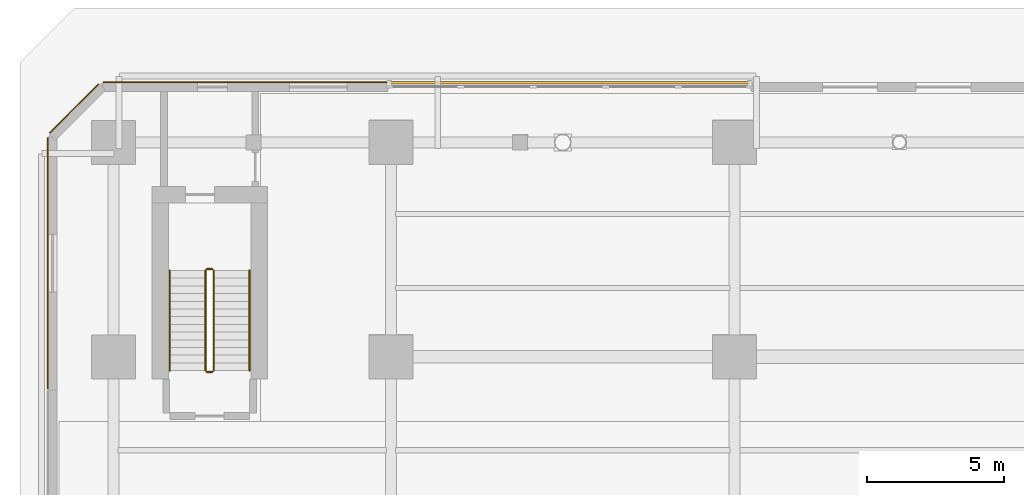
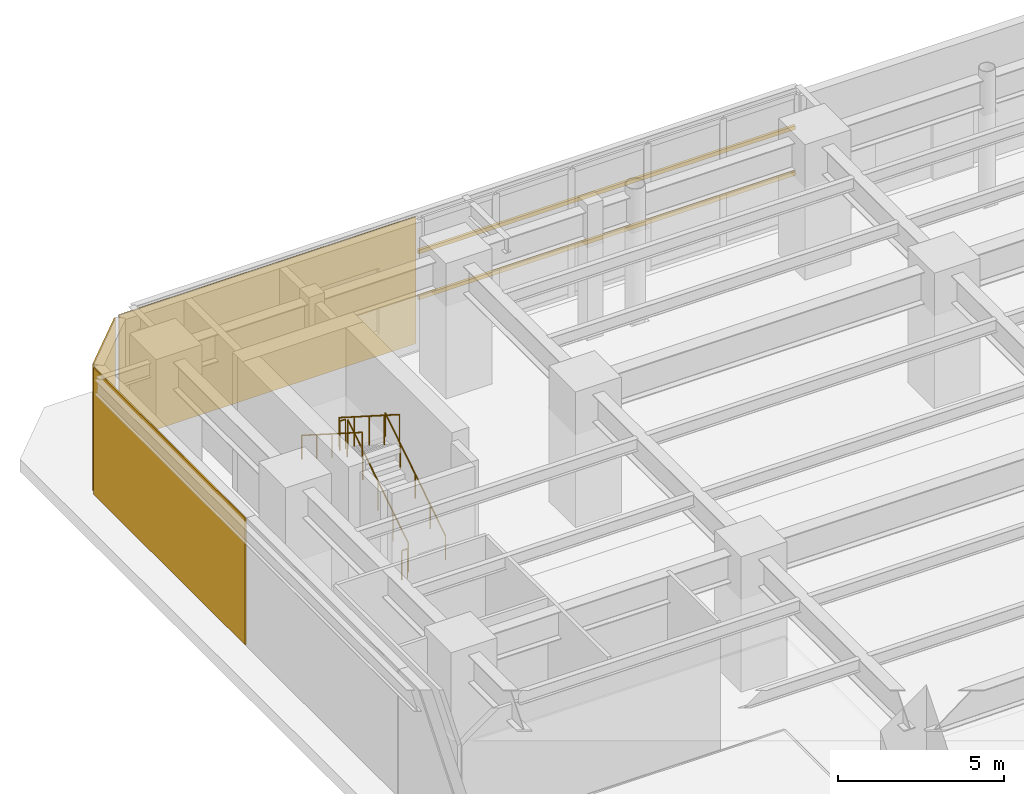
# One storey, part 23 of 26: 6 railings, 3 coverings, 2 shading devices.
"""IFC4 building model written with IfcOpenShell, lengths in metres."""

from ifc_helpers import new_model, si_unit, direction, frame, origin, origin_2d, place, context, subcontext, project, spatial, polyline, rectangle, circle, outline, extrude, material, layer, layer_set, material_profile, profile_set, type_object, element, save


model = new_model("IFC4")

# Units and contexts
model_context = context("Model", 3, precision=1e-05, world=origin(), true_north=direction((0.0, 1.0)))
body_context = subcontext(model_context, "Body", "Model", "MODEL_VIEW")
ifc_project = project(units=[si_unit("LENGTHUNIT", "METRE"), si_unit("AREAUNIT", "SQUARE_METRE"), si_unit("VOLUMEUNIT", "CUBIC_METRE"), si_unit("PLANEANGLEUNIT", "RADIAN"), si_unit("MASSUNIT", "GRAM", prefix="KILO")], contexts=[model_context])

# Site, building, storey
site_placement = place(None, origin())
site = spatial("IfcSite", under=ifc_project, at=site_placement, CompositionType="ELEMENT")
building_placement = place(site_placement, origin())
building = spatial("IfcBuilding", under=site, at=building_placement, Name="Quenlor Broadcast Tower", CompositionType="ELEMENT")
storey_placement = place(building_placement, origin())
storey = spatial("IfcBuildingStorey", under=building, at=storey_placement, Name="L00", CompositionType="ELEMENT", Elevation=0.0)

# Shading devices
ifc_material_1 = material(Name="Architectural Terracotta Ceramic", Category="masonry")
ifc_material_profile = material_profile(ifc_material_1, rectangle(XDim=0.090087890625, YDim=0.139892578125, at=origin_2d()))
ifc_profile_set = profile_set([ifc_material_profile], Name="Architectural Terracotta Ceramic BAG90x140")
shading_device_type = type_object("IfcShadingDeviceType", Name="Copper Terracotta Baguette Solar Screen 140", PredefinedType="USERDEFINED", material=ifc_profile_set)
for number, where, z_axis, x_axis, name in (
    (1, (-24.55908203125, 24.972900390625, 1.69189453125), (1.0, 0.0, 0.0), (0.0, 1.0, 0.0), "L00 Terracotta Baguette Screen 1"),
    (2, (-24.55908203125, 24.972900390625, 3.384033203125), (1.0, 0.0, 0.0), (0.0, 1.0, 0.0), "L00 Terracotta Baguette Screen 2"),
):
    element("IfcShadingDevice", number, at=place(storey_placement, frame(where, z_axis=z_axis, x_axis=x_axis)), inside=storey, type_object=shading_device_type, Name=name, ObjectType="BAGUETTE", PredefinedType="USERDEFINED", context=body_context, shape_type="SweptSolid", body=[
        extrude(rectangle(XDim=0.090087890625, YDim=0.139892578125, at=origin_2d()), origin(), (0.0, 0.0, 1.0), 13.1181640625),
    ])

# Coverings
ifc_material_2 = material(Name="Architectural Terracotta Ceramic", Category="masonry")
ifc_layer = layer(ifc_material_2, 0.044921875)
ifc_layer_set = layer_set([ifc_layer], Name="Fluted Terracotta Rainscreen Cladding Panel")
covering_type = type_object("IfcCoveringType", Name="Fluted Terracotta Rainscreen Cladding Panel", PredefinedType="CLADDING", material=ifc_layer_set)
covering_1_placement = place(storey_placement, frame((0.0, 0.0, 0.02001953125)))
element("IfcCovering", 3, at=covering_1_placement, inside=storey, type_object=covering_type, Name="L00 Terracotta Rainscreen Cladding L00-EW-NW", PredefinedType="CLADDING", context=body_context, shape_type="SweptSolid", body=[
    extrude(outline(polyline([(-34.969970703125, 24.971923828125), (-24.6298828125, 24.971923828125), (-24.6298828125, 25.01708984375), (-34.969970703125, 25.01708984375), (-34.969970703125, 24.971923828125)])), origin(), (0.0, 0.0, 1.0), 4.659912109375),
])
covering_2_placement = place(storey_placement, frame((0.0, 0.0, 0.02001953125)))
element("IfcCovering", 4, at=covering_2_placement, inside=storey, type_object=covering_type, Name="L00 Terracotta Rainscreen Cladding L00-EW-W5", PredefinedType="CLADDING", context=body_context, shape_type="SweptSolid", body=[
    extrude(outline(polyline([(-36.971923828125, 13.830078125), (-36.971923828125, 22.969970703125), (-37.01708984375, 22.969970703125), (-37.01708984375, 13.830078125), (-36.971923828125, 13.830078125)])), origin(), (0.0, 0.0, 1.0), 4.659912109375),
])
covering_3_placement = place(storey_placement, frame((0.0, 0.0, 0.02001953125)))
element("IfcCovering", 5, at=covering_3_placement, inside=storey, type_object=covering_type, Name="L00 Terracotta Rainscreen Cladding L00-EW-CNW", PredefinedType="CLADDING", context=body_context, shape_type="SweptSolid", body=[
    extrude(outline(polyline([(-36.90625, 23.128662109375), (-35.128662109375, 24.90625), (-35.160400390625, 24.93798828125), (-36.93798828125, 23.160400390625), (-36.90625, 23.128662109375)])), origin(), (0.0, 0.0, 1.0), 4.659912109375),
])

# Railings
ifc_material_3 = material(Name="Anodised Aluminium", Category="aluminium")
railing_type_1 = type_object("IfcRailingType", Name="Stainless Aluminium Wall Handrail 900", PredefinedType="HANDRAIL", material=ifc_material_3)
railing_1_placement = place(storey_placement, frame((-29.64990234375, 14.5, 0.178466796875)))
element("IfcRailing", 6, at=railing_1_placement, inside=storey, type_object=railing_type_1, Name="L00 ST-3 stair handrail 1", PredefinedType="HANDRAIL", context=body_context, shape_type="SweptSolid", body=[
    extrude(circle(Radius=0.02392578125, at=origin_2d()), frame((0.0, 0.0, 0.8759765625), z_axis=(0.0, 0.843111507901, 0.53773877045), x_axis=(-1.0, 0.0, 0.0)), (0.0, 0.0, 1.0), 4.317138671875),
    extrude(circle(Radius=0.02099609375, at=origin_2d()), origin(), (0.0, 0.0, 1.0), 0.851806640625),
    extrude(circle(Radius=0.02099609375, at=origin_2d()), frame((0.0, 0.909912109375, 0.580322265625)), (0.0, 0.0, 1.0), 0.851806640625),
    extrude(circle(Radius=0.02099609375, at=origin_2d()), frame((0.0, 1.81982421875, 1.16064453125)), (0.0, 0.0, 1.0), 0.851806640625),
    extrude(circle(Radius=0.02099609375, at=origin_2d()), frame((0.0, 2.72998046875, 1.7412109375)), (0.0, 0.0, 1.0), 0.851806640625),
    extrude(circle(Radius=0.02099609375, at=origin_2d()), frame((0.0, 3.639892578125, 2.321533203125)), (0.0, 0.0, 1.0), 0.851806640625),
])
railing_2_placement = place(storey_placement, frame((-32.550048828125, 18.139892578125, 2.678466796875)))
element("IfcRailing", 7, at=railing_2_placement, inside=storey, type_object=railing_type_1, Name="L00 ST-3 stair handrail 2", PredefinedType="HANDRAIL", context=body_context, shape_type="SweptSolid", body=[
    extrude(circle(Radius=0.02392578125, at=origin_2d()), frame((0.0, 0.0, 0.8759765625), z_axis=(0.0, -0.843111507901, 0.53773877045), x_axis=(1.0, 0.0, 0.0)), (0.0, 0.0, 1.0), 4.317138671875),
    extrude(circle(Radius=0.02099609375, at=origin_2d()), origin(), (0.0, 0.0, 1.0), 0.851806640625),
    extrude(circle(Radius=0.02099609375, at=origin_2d()), frame((0.0, -0.909912109375, 0.580322265625)), (0.0, 0.0, 1.0), 0.851806640625),
    extrude(circle(Radius=0.02099609375, at=origin_2d()), frame((0.0, -1.81982421875, 1.16064453125)), (0.0, 0.0, 1.0), 0.851806640625),
    extrude(circle(Radius=0.02099609375, at=origin_2d()), frame((0.0, -2.72998046875, 1.7412109375)), (0.0, 0.0, 1.0), 0.851806640625),
    extrude(circle(Radius=0.02099609375, at=origin_2d()), frame((0.0, -3.639892578125, 2.321533203125)), (0.0, 0.0, 1.0), 0.851806640625),
])
ifc_material_4 = material(Name="Steel S355", Category="steel")
railing_type_2 = type_object("IfcRailingType", Name="Tubular Steel S355 Stair Guardrail 1100", PredefinedType="BALUSTRADE", material=ifc_material_4)
railing_3_placement = place(storey_placement, frame((-30.949951171875, 14.5, 0.178466796875)))
element("IfcRailing", 8, at=railing_3_placement, inside=storey, type_object=railing_type_2, Name="L00 ST-3 stair guard 1", PredefinedType="BALUSTRADE", context=body_context, shape_type="SweptSolid", body=[
    extrude(circle(Radius=0.02392578125, at=origin_2d()), frame((0.0, 0.0, 1.076171875), z_axis=(0.0, 0.843111507901, 0.53773877045), x_axis=(-1.0, 0.0, 0.0)), (0.0, 0.0, 1.0), 4.317138671875),
    extrude(circle(Radius=0.02099609375, at=origin_2d()), origin(), (0.0, 0.0, 1.0), 1.052001953125),
    extrude(circle(Radius=0.02099609375, at=origin_2d()), frame((0.0, 0.909912109375, 0.580322265625)), (0.0, 0.0, 1.0), 1.052001953125),
    extrude(circle(Radius=0.02099609375, at=origin_2d()), frame((0.0, 1.81982421875, 1.16064453125)), (0.0, 0.0, 1.0), 1.052001953125),
    extrude(circle(Radius=0.02099609375, at=origin_2d()), frame((0.0, 2.72998046875, 1.7412109375)), (0.0, 0.0, 1.0), 1.052001953125),
    extrude(circle(Radius=0.02099609375, at=origin_2d()), frame((0.0, 3.639892578125, 2.321533203125)), (0.0, 0.0, 1.0), 1.052001953125),
])
railing_4_placement = place(storey_placement, frame((-31.0, 18.18994140625, 2.5)))
element("IfcRailing", 9, at=railing_4_placement, inside=storey, type_object=railing_type_2, Name="L00 ST-3 stair guard 2", PredefinedType="BALUSTRADE", context=body_context, shape_type="SweptSolid", body=[
    extrude(circle(Radius=0.02392578125, at=origin_2d()), frame((0.0, 0.0, 1.076171875), z_axis=(-1.0, 0.0, 0.0), x_axis=(0.0, -1.0, 0.0)), (0.0, 0.0, 1.0), 0.199951171875),
    extrude(circle(Radius=0.02099609375, at=origin_2d()), origin(), (0.0, 0.0, 1.0), 1.052001953125),
    extrude(circle(Radius=0.02099609375, at=origin_2d()), frame((-0.199951171875, 0.0, 0.0)), (0.0, 0.0, 1.0), 1.052001953125),
])
railing_5_placement = place(storey_placement, frame((-31.25, 18.139892578125, 2.678466796875)))
element("IfcRailing", 10, at=railing_5_placement, inside=storey, type_object=railing_type_2, Name="L00 ST-3 stair guard 3", PredefinedType="BALUSTRADE", context=body_context, shape_type="SweptSolid", body=[
    extrude(circle(Radius=0.02392578125, at=origin_2d()), frame((0.0, 0.0, 1.076171875), z_axis=(0.0, -0.843111507901, 0.53773877045), x_axis=(1.0, 0.0, 0.0)), (0.0, 0.0, 1.0), 4.317138671875),
    extrude(circle(Radius=0.02099609375, at=origin_2d()), origin(), (0.0, 0.0, 1.0), 1.052001953125),
    extrude(circle(Radius=0.02099609375, at=origin_2d()), frame((0.0, -0.909912109375, 0.580322265625)), (0.0, 0.0, 1.0), 1.052001953125),
    extrude(circle(Radius=0.02099609375, at=origin_2d()), frame((0.0, -1.81982421875, 1.16064453125)), (0.0, 0.0, 1.0), 1.052001953125),
    extrude(circle(Radius=0.02099609375, at=origin_2d()), frame((0.0, -2.72998046875, 1.7412109375)), (0.0, 0.0, 1.0), 1.052001953125),
    extrude(circle(Radius=0.02099609375, at=origin_2d()), frame((0.0, -3.639892578125, 2.321533203125)), (0.0, 0.0, 1.0), 1.052001953125),
])
railing_6_placement = place(storey_placement, frame((-31.0, 14.449951171875, 0.0)))
element("IfcRailing", 11, at=railing_6_placement, inside=storey, type_object=railing_type_2, Name="L00 ST-3 stair guard 4", PredefinedType="BALUSTRADE", context=body_context, shape_type="SweptSolid", body=[
    extrude(circle(Radius=0.02392578125, at=origin_2d()), frame((0.0, 0.0, 1.076171875), z_axis=(-1.0, 0.0, 0.0), x_axis=(0.0, -1.0, 0.0)), (0.0, 0.0, 1.0), 0.199951171875),
    extrude(circle(Radius=0.02099609375, at=origin_2d()), origin(), (0.0, 0.0, 1.0), 1.052001953125),
    extrude(circle(Radius=0.02099609375, at=origin_2d()), frame((-0.199951171875, 0.0, 0.0)), (0.0, 0.0, 1.0), 1.052001953125),
])

save(model, "model.ifc")
